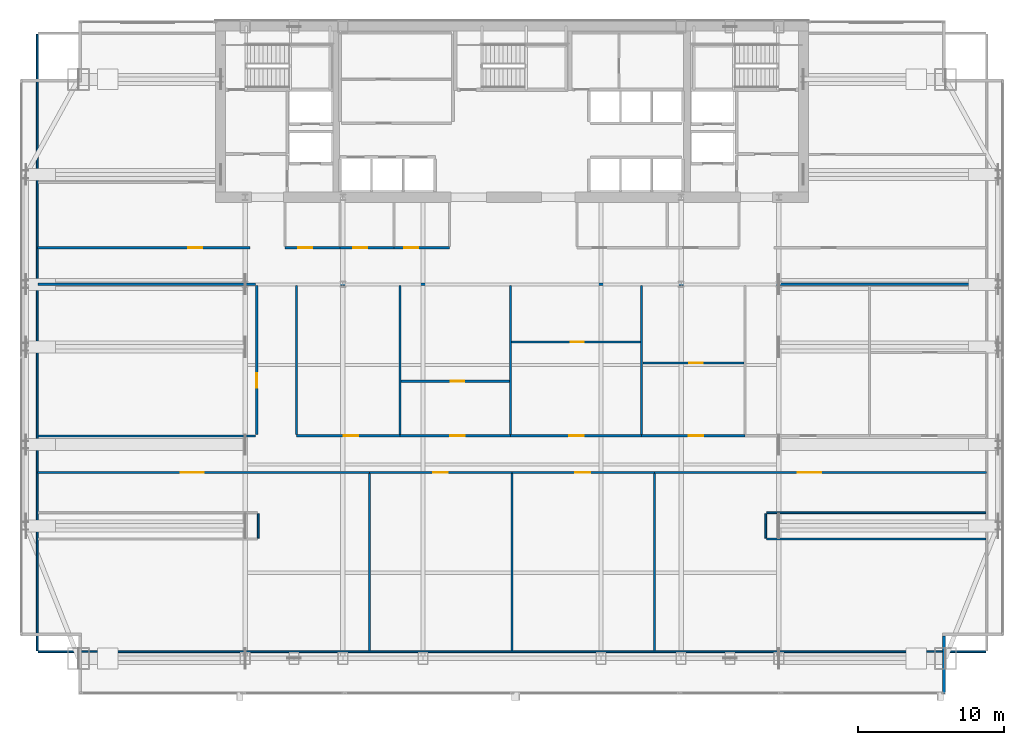
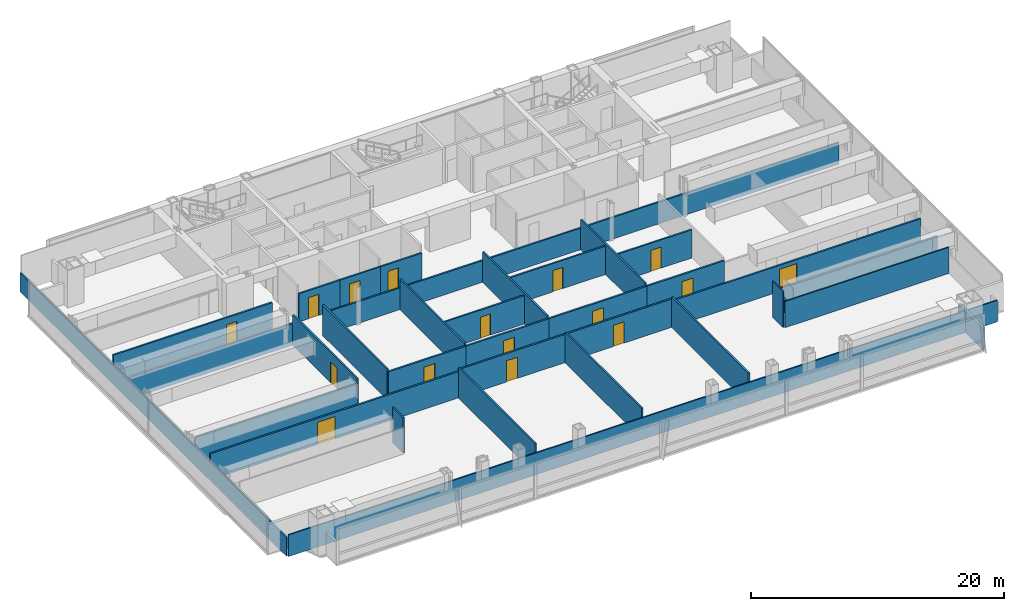
# One storey, part 25 of 30: 33 walls, 16 doors, 16 openings.
"""IFC4 building model written with IfcOpenShell, lengths in metres."""

from ifc_helpers import new_model, si_unit, direction, frame, frame_2d, origin, place, context, subcontext, project, spatial, rectangle, extrude, material, layer, layer_set, type_object, element, fill, save


model = new_model("IFC4")

# Units and contexts
model_context = context("Model", 3, precision=1e-05, world=origin(), true_north=direction((0.0, 1.0)))
body_context = subcontext(model_context, "Body", "Model", "MODEL_VIEW")
ifc_project = project(units=[si_unit("LENGTHUNIT", "METRE"), si_unit("AREAUNIT", "SQUARE_METRE"), si_unit("VOLUMEUNIT", "CUBIC_METRE"), si_unit("PLANEANGLEUNIT", "RADIAN"), si_unit("MASSUNIT", "GRAM", prefix="KILO")], contexts=[model_context])

# Site, building, storey
site_placement = place(None, origin())
site = spatial("IfcSite", under=ifc_project, at=site_placement, CompositionType="ELEMENT")
building_placement = place(site_placement, origin())
building = spatial("IfcBuilding", under=site, at=building_placement, Name="Khoronbel Lancet Exchange", CompositionType="ELEMENT")
storey_placement = place(building_placement, frame((0.0, 0.0, 132.60009765625)))
storey = spatial("IfcBuildingStorey", under=building, at=storey_placement, Name="L32", CompositionType="ELEMENT", Elevation=132.60009765625)

# Wall
ifc_material_1 = material(Name="Precast concrete C40/50", Category="concrete")
ifc_layer_1 = layer(ifc_material_1, 0.25, Name="Precast concrete C40/50")
ifc_layer_set_1 = layer_set([ifc_layer_1], Name="Precast concrete C40/50")
wall_type_1 = type_object("IfcWallType", Name="WL-EXT250", PredefinedType="SOLIDWALL", material=ifc_layer_set_1)
wall_1_placement = place(storey_placement, frame((65.9599609375, 11.679931640625, 0.0), z_axis=(0.0, 0.0, 1.0), x_axis=(0.0, -1.0, 0.0)))
element("IfcWall", 1, at=wall_1_placement, inside=storey, type_object=wall_type_1, Name="Level L32 notched-corner limestone pier 11", PredefinedType="SOLIDWALL", context=body_context, shape_type="SweptSolid", body=[
    extrude(rectangle(XDim=3.909912109375, YDim=0.219970703125, at=frame_2d((1.955078125, 0.0))), origin(), (0.0, 0.0, 1.0), 2.08984375),
])

# Wall, opening, door
ifc_material_2 = material(Name="Acoustic Metal-Stud & Mineral-Wool Gypsum Partition 120 mm", Category="gypsum")
ifc_layer_2 = layer(ifc_material_2, 0.1201171875, Name="Acoustic Metal-Stud & Mineral-Wool Gypsum Partition 120 mm")
ifc_layer_set_2 = layer_set([ifc_layer_2], Name="Acoustic Metal-Stud & Mineral-Wool Gypsum Partition 120 mm")
wall_type_2 = type_object("IfcWallType", Name="WL-PRT120", PredefinedType="PARTITIONING", material=ifc_layer_set_2)
wall_2_placement = place(storey_placement, frame((28.881103515625, 29.075927734375, 0.0), z_axis=(0.0, 0.0, 1.0), x_axis=(1.0, 0.0, 0.0)))
wall_2 = element("IfcWall", 2, at=wall_2_placement, inside=storey, type_object=wall_type_2, Name="Level L32 interior partition PW-Z2N-H2", PredefinedType="PARTITIONING", context=body_context, shape_type="SweptSolid", body=[
    extrude(rectangle(XDim=7.38232421875, YDim=0.14990234375, at=frame_2d((3.691162109375, 0.0))), origin(), (0.0, 0.0, 1.0), 2.72998046875),
])
opening_1_placement = place(wall_2_placement, frame((3.39404296875, 0.0, 0.0)))
opening_1 = element("IfcOpeningElement", 3, at=opening_1_placement, cuts=wall_2, Name="Opening D5", PredefinedType="OPENING", context=body_context, shape_type="SweptSolid", body=[
    extrude(rectangle(XDim=0.89990234375, YDim=2.050048828125, at=frame_2d((0.449951171875, 1.02490234375))), frame((0.0, 0.0849609375, 0.0), z_axis=(0.0, -1.0, 0.0), x_axis=(1.0, 0.0, 0.0)), (0.0, 0.0, 1.0), 0.169921875),
])
ifc_material_3 = material(Name="Acoustic Timber Pantry & Support Door", Category="wood")
door_type_1 = type_object("IfcDoorType", Name="DR-D5", OperationType="NOTDEFINED", PredefinedType="DOOR", material=ifc_material_3)
door_1_placement = place(opening_1_placement, origin())
door_1 = element("IfcDoor", 4, at=door_1_placement, inside=storey, type_object=door_type_1, Name="Z2N inner door 2 L32-1", OperationType="SINGLE_SWING_LEFT", OverallHeight=2.050048828125, OverallWidth=0.89990234375, PredefinedType="DOOR", context=body_context, shape_type="SweptSolid", body=[
    extrude(rectangle(XDim=0.89990234375, YDim=2.050048828125, at=frame_2d((0.449951171875, 1.02490234375))), frame((0.0, 0.02490234375, 0.0), z_axis=(0.0, -1.0, 0.0), x_axis=(1.0, 0.0, 0.0)), (0.0, 0.0, 1.0), 0.050048828125),
])
fill(opening_1, door_1)

wall_3_placement = place(storey_placement, frame((36.42333984375, 31.76708984375, 0.0), z_axis=(0.0, 0.0, 1.0), x_axis=(1.0, 0.0, 0.0)))
wall_3 = element("IfcWall", 5, at=wall_3_placement, inside=storey, type_object=wall_type_2, Name="Level L32 interior partition PW-Z2N-H3", PredefinedType="PARTITIONING", context=body_context, shape_type="SweptSolid", body=[
    extrude(rectangle(XDim=8.796630859375, YDim=0.14990234375, at=frame_2d((4.3984375, 0.0))), origin(), (0.0, 0.0, 1.0), 2.72998046875),
])
opening_2_placement = place(wall_3_placement, frame((4.030517578125, 0.0, 0.0)))
opening_2 = element("IfcOpeningElement", 6, at=opening_2_placement, cuts=wall_3, Name="Opening D5", PredefinedType="OPENING", context=body_context, shape_type="SweptSolid", body=[
    extrude(rectangle(XDim=0.89990234375, YDim=2.050048828125, at=frame_2d((0.449951171875, 1.02490234375))), frame((0.0, 0.0849609375, 0.0), z_axis=(0.0, -1.0, 0.0), x_axis=(1.0, 0.0, 0.0)), (0.0, 0.0, 1.0), 0.169921875),
])
door_2_placement = place(opening_2_placement, origin())
door_2 = element("IfcDoor", 7, at=door_2_placement, inside=storey, type_object=door_type_1, Name="Z2N inner door 3 L32-1", OperationType="SINGLE_SWING_LEFT", OverallHeight=2.050048828125, OverallWidth=0.89990234375, PredefinedType="DOOR", context=body_context, shape_type="SweptSolid", body=[
    extrude(rectangle(XDim=0.89990234375, YDim=2.050048828125, at=frame_2d((0.449951171875, 1.02490234375))), frame((0.0, 0.02490234375, 0.0), z_axis=(0.0, -1.0, 0.0), x_axis=(1.0, 0.0, 0.0)), (0.0, 0.0, 1.0), 0.050048828125),
])
fill(opening_2, door_2)

wall_4_placement = place(storey_placement, frame((45.3798828125, 30.318115234375, 0.0), z_axis=(0.0, 0.0, 1.0), x_axis=(1.0, 0.0, 0.0)))
wall_4 = element("IfcWall", 8, at=wall_4_placement, inside=storey, type_object=wall_type_2, Name="Level L32 interior partition PW-Z2N-H4", PredefinedType="PARTITIONING", context=body_context, shape_type="SweptSolid", body=[
    extrude(rectangle(XDim=6.9111328125, YDim=0.14990234375, at=frame_2d((3.45556640625, 0.0))), origin(), (0.0, 0.0, 1.0), 2.72998046875),
])
opening_3_placement = place(wall_4_placement, frame((3.181884765625, 0.0, 0.0)))
opening_3 = element("IfcOpeningElement", 9, at=opening_3_placement, cuts=wall_4, Name="Opening D5", PredefinedType="OPENING", context=body_context, shape_type="SweptSolid", body=[
    extrude(rectangle(XDim=0.89990234375, YDim=2.050048828125, at=frame_2d((0.449951171875, 1.02490234375))), frame((0.0, 0.0849609375, 0.0), z_axis=(0.0, -1.0, 0.0), x_axis=(1.0, 0.0, 0.0)), (0.0, 0.0, 1.0), 0.169921875),
])
door_3_placement = place(opening_3_placement, origin())
door_3 = element("IfcDoor", 10, at=door_3_placement, inside=storey, type_object=door_type_1, Name="Z2N inner door 4 L32-1", OperationType="SINGLE_SWING_LEFT", OverallHeight=2.050048828125, OverallWidth=0.89990234375, PredefinedType="DOOR", context=body_context, shape_type="SweptSolid", body=[
    extrude(rectangle(XDim=0.89990234375, YDim=2.050048828125, at=frame_2d((0.449951171875, 1.02490234375))), frame((0.0, 0.02490234375, 0.0), z_axis=(0.0, -1.0, 0.0), x_axis=(1.0, 0.0, 0.0)), (0.0, 0.0, 1.0), 0.050048828125),
])
fill(opening_3, door_3)

# Walls
wall_5_placement = place(storey_placement, frame((4.030029296875, 10.6650390625, 0.0), z_axis=(0.0, 0.0, 1.0), x_axis=(0.0, 1.0, 0.0)))
element("IfcWall", 11, at=wall_5_placement, inside=storey, type_object=wall_type_2, Name="Level L32 interior partition PW-LIN-W", PredefinedType="PARTITIONING", context=body_context, shape_type="SweptSolid", body=[
    extrude(rectangle(XDim=42.10986328125, YDim=0.1201171875, at=frame_2d((21.054931640625, 0.0))), origin(), (0.0, 0.0, 1.0), 1.829833984375),
])
wall_6_placement = place(storey_placement, frame((4.094970703125, 10.60009765625, 0.0), z_axis=(0.0, 0.0, 1.0), x_axis=(1.0, 0.0, 0.0)))
element("IfcWall", 12, at=wall_6_placement, inside=storey, type_object=wall_type_2, Name="Level L32 interior partition PW-LIN-S", PredefinedType="PARTITIONING", context=body_context, shape_type="SweptSolid", body=[
    extrude(rectangle(XDim=64.7099609375, YDim=0.1201171875, at=frame_2d((32.35498046875, 0.0))), origin(), (0.0, 0.0, 1.0), 2.08984375),
])
wall_7_placement = place(storey_placement, frame((19.1201171875, 18.364990234375, 0.0), z_axis=(0.0, 0.0, 1.0), x_axis=(0.0, 1.0, 0.0)))
element("IfcWall", 13, at=wall_7_placement, inside=storey, type_object=wall_type_2, Name="Level L32 interior partition PW-BLK-WE", PredefinedType="PARTITIONING", context=body_context, shape_type="SweptSolid", body=[
    extrude(rectangle(XDim=1.669921875, YDim=0.1201171875, at=frame_2d((0.8349609375, 0.0))), origin(), (0.0, 0.0, 1.0), 3.43994140625),
])
for number, where, z_axis, x_axis, name in (
    (14, (53.844970703125, 18.300048828125, 0.0), (0.0, 0.0, 1.0), (1.0, 0.0, 0.0), "Level L32 interior partition PW-BLK-ES"),
    (15, (53.844970703125, 20.10009765625, 0.0), (0.0, 0.0, 1.0), (1.0, 0.0, 0.0), "Level L32 interior partition PW-BLK-EN"),
):
    element("IfcWall", number, at=place(storey_placement, frame(where, z_axis=z_axis, x_axis=x_axis)), inside=storey, type_object=wall_type_2, Name=name, PredefinedType="PARTITIONING", context=body_context, shape_type="SweptSolid", body=[
        extrude(rectangle(XDim=14.9599609375, YDim=0.1201171875, at=frame_2d((7.47998046875, 0.0))), origin(), (0.0, 0.0, 1.0), 2.52978515625),
    ])
wall_8_placement = place(storey_placement, frame((53.780029296875, 18.364990234375, 0.0), z_axis=(0.0, 0.0, 1.0), x_axis=(0.0, 1.0, 0.0)))
element("IfcWall", 16, at=wall_8_placement, inside=storey, type_object=wall_type_2, Name="Level L32 interior partition PW-BLK-EW", PredefinedType="PARTITIONING", context=body_context, shape_type="SweptSolid", body=[
    extrude(rectangle(XDim=1.669921875, YDim=0.1201171875, at=frame_2d((0.8349609375, 0.0))), origin(), (0.0, 0.0, 1.0), 3.43994140625),
])

# Wall, opening, door
ifc_material_4 = material(Name="Fire-Rated Twin-Stud Acoustic Gypsum Partition 150 mm", Category="gypsum")
ifc_layer_3 = layer(ifc_material_4, 0.14990234375, Name="Fire-Rated Twin-Stud Acoustic Gypsum Partition 150 mm")
ifc_layer_set_3 = layer_set([ifc_layer_3], Name="Fire-Rated Twin-Stud Acoustic Gypsum Partition 150 mm")
wall_type_3 = type_object("IfcWallType", Name="WL-PRT150C", PredefinedType="PARTITIONING", material=ifc_layer_set_3)
wall_9_placement = place(storey_placement, frame((20.949951171875, 38.199951171875, 0.0), z_axis=(0.0, 0.0, 1.0), x_axis=(1.0, 0.0, 0.0)))
wall_9 = element("IfcWall", 17, at=wall_9_placement, inside=storey, type_object=wall_type_3, Name="Level L32 interior partition PW-WC-S1", PredefinedType="PARTITIONING", context=body_context, shape_type="SweptSolid", body=[
    extrude(rectangle(XDim=3.75, YDim=0.14990234375, at=frame_2d((1.875, 0.0))), origin(), (0.0, 0.0, 1.0), 2.72998046875),
])
opening_4_placement = place(wall_9_placement, frame((0.89990234375, 0.0, 0.0)))
opening_4 = element("IfcOpeningElement", 18, at=opening_4_placement, cuts=wall_9, Name="Opening D4", PredefinedType="OPENING", context=body_context, shape_type="SweptSolid", body=[
    extrude(rectangle(XDim=0.949951171875, YDim=2.050048828125, at=frame_2d((0.47509765625, 1.02490234375))), frame((0.0, 0.0849609375, 0.0), z_axis=(0.0, -1.0, 0.0), x_axis=(1.0, 0.0, 0.0)), (0.0, 0.0, 1.0), 0.169921875),
])
ifc_material_5 = material(Name="Moisture-Resistant HPL Washroom Door", Category="wood")
door_type_2 = type_object("IfcDoorType", Name="DR-D4", OperationType="NOTDEFINED", PredefinedType="DOOR", material=ifc_material_5)
door_4_placement = place(opening_4_placement, origin())
door_4 = element("IfcDoor", 19, at=door_4_placement, inside=storey, type_object=door_type_2, Name="Male washroom door L32-1", OperationType="SINGLE_SWING_LEFT", OverallHeight=2.050048828125, OverallWidth=0.949951171875, PredefinedType="DOOR", context=body_context, shape_type="SweptSolid", body=[
    extrude(rectangle(XDim=0.949951171875, YDim=2.050048828125, at=frame_2d((0.47509765625, 1.02490234375))), frame((0.0, 0.02490234375, 0.0), z_axis=(0.0, -1.0, 0.0), x_axis=(1.0, 0.0, 0.0)), (0.0, 0.0, 1.0), 0.050048828125),
])
fill(opening_4, door_4)

wall_10_placement = place(storey_placement, frame((24.699951171875, 38.199951171875, 0.0), z_axis=(0.0, 0.0, 1.0), x_axis=(1.0, 0.0, 0.0)))
wall_10 = element("IfcWall", 20, at=wall_10_placement, inside=storey, type_object=wall_type_3, Name="Level L32 interior partition PW-WC-S2", PredefinedType="PARTITIONING", context=body_context, shape_type="SweptSolid", body=[
    extrude(rectangle(XDim=3.699951171875, YDim=0.14990234375, at=frame_2d((1.85009765625, 0.0))), origin(), (0.0, 0.0, 1.0), 2.72998046875),
])
opening_5_placement = place(wall_10_placement, frame((0.89990234375, 0.0, 0.0)))
opening_5 = element("IfcOpeningElement", 21, at=opening_5_placement, cuts=wall_10, Name="Opening D4", PredefinedType="OPENING", context=body_context, shape_type="SweptSolid", body=[
    extrude(rectangle(XDim=0.949951171875, YDim=2.050048828125, at=frame_2d((0.47509765625, 1.02490234375))), frame((0.0, 0.0849609375, 0.0), z_axis=(0.0, -1.0, 0.0), x_axis=(1.0, 0.0, 0.0)), (0.0, 0.0, 1.0), 0.169921875),
])
door_5_placement = place(opening_5_placement, origin())
door_5 = element("IfcDoor", 22, at=door_5_placement, inside=storey, type_object=door_type_2, Name="Female washroom door L32-1", OperationType="SINGLE_SWING_RIGHT", OverallHeight=2.050048828125, OverallWidth=0.949951171875, PredefinedType="DOOR", context=body_context, shape_type="SweptSolid", body=[
    extrude(rectangle(XDim=0.949951171875, YDim=2.050048828125, at=frame_2d((0.47509765625, 1.02490234375))), frame((0.0, 0.02490234375, 0.0), z_axis=(0.0, -1.0, 0.0), x_axis=(1.0, 0.0, 0.0)), (0.0, 0.0, 1.0), 0.050048828125),
])
fill(opening_5, door_5)

wall_11_placement = place(storey_placement, frame((28.39990234375, 38.199951171875, 0.0), z_axis=(0.0, 0.0, 1.0), x_axis=(1.0, 0.0, 0.0)))
wall_11 = element("IfcWall", 23, at=wall_11_placement, inside=storey, type_object=wall_type_3, Name="Level L32 interior partition PW-WC-S3", PredefinedType="PARTITIONING", context=body_context, shape_type="SweptSolid", body=[
    extrude(rectangle(XDim=3.780029296875, YDim=0.14990234375, at=frame_2d((1.89013671875, 0.0))), origin(), (0.0, 0.0, 1.0), 2.72998046875),
])
opening_6_placement = place(wall_11_placement, frame((0.699951171875, 0.0, 0.0)))
opening_6 = element("IfcOpeningElement", 24, at=opening_6_placement, cuts=wall_11, Name="Opening D4", PredefinedType="OPENING", context=body_context, shape_type="SweptSolid", body=[
    extrude(rectangle(XDim=0.949951171875, YDim=2.050048828125, at=frame_2d((0.47509765625, 1.02490234375))), frame((0.0, 0.0849609375, 0.0), z_axis=(0.0, -1.0, 0.0), x_axis=(1.0, 0.0, 0.0)), (0.0, 0.0, 1.0), 0.169921875),
])
door_6_placement = place(opening_6_placement, origin())
door_6 = element("IfcDoor", 25, at=door_6_placement, inside=storey, type_object=door_type_2, Name="Accessible WC door L32-1", OperationType="SINGLE_SWING_LEFT", OverallHeight=2.050048828125, OverallWidth=0.949951171875, PredefinedType="DOOR", context=body_context, shape_type="SweptSolid", body=[
    extrude(rectangle(XDim=0.949951171875, YDim=2.050048828125, at=frame_2d((0.47509765625, 1.02490234375))), frame((0.0, 0.02490234375, 0.0), z_axis=(0.0, -1.0, 0.0), x_axis=(1.0, 0.0, 0.0)), (0.0, 0.0, 1.0), 0.050048828125),
])
fill(opening_6, door_6)

wall_12_placement = place(storey_placement, frame((4.030029296875, 38.199951171875, 0.0), z_axis=(0.0, 0.0, 1.0), x_axis=(1.0, 0.0, 0.0)))
wall_12 = element("IfcWall", 26, at=wall_12_placement, inside=storey, type_object=wall_type_3, Name="Level L32 interior partition PW-NW-S", PredefinedType="PARTITIONING", context=body_context, shape_type="SweptSolid", body=[
    extrude(rectangle(XDim=14.52001953125, YDim=0.14990234375, at=frame_2d((7.260009765625, 0.0))), origin(), (0.0, 0.0, 1.0), 2.72998046875),
])
opening_7_placement = place(wall_12_placement, frame((10.320068359375, 0.0, 0.0)))
opening_7 = element("IfcOpeningElement", 27, at=opening_7_placement, cuts=wall_12, Name="Opening D1", PredefinedType="OPENING", context=body_context, shape_type="SweptSolid", body=[
    extrude(rectangle(XDim=0.949951171875, YDim=2.050048828125, at=frame_2d((0.47509765625, 1.02490234375))), frame((0.0, 0.0849609375, 0.0), z_axis=(0.0, -1.0, 0.0), x_axis=(1.0, 0.0, 0.0)), (0.0, 0.0, 1.0), 0.169921875),
])
ifc_material_6 = material(Name="Acoustic Veneered Timber & Bronze Frame Door", Category="wood")
door_type_3 = type_object("IfcDoorType", Name="DR-D1", OperationType="NOTDEFINED", PredefinedType="DOOR", material=ifc_material_6)
door_7_placement = place(opening_7_placement, origin())
door_7 = element("IfcDoor", 28, at=door_7_placement, inside=storey, type_object=door_type_3, Name="NW corner room door L32-1", OperationType="SINGLE_SWING_RIGHT", OverallHeight=2.050048828125, OverallWidth=0.949951171875, PredefinedType="DOOR", context=body_context, shape_type="SweptSolid", body=[
    extrude(rectangle(XDim=0.949951171875, YDim=2.050048828125, at=frame_2d((0.47509765625, 1.02490234375))), frame((0.0, 0.02490234375, 0.0), z_axis=(0.0, -1.0, 0.0), x_axis=(1.0, 0.0, 0.0)), (0.0, 0.0, 1.0), 0.050048828125),
])
fill(opening_7, door_7)

# Walls
for number, where, z_axis, x_axis, name in (
    (29, (26.72412109375, 10.6650390625, 0.0), (0.0, 0.0, 1.0), (0.0, 1.0, 0.0), "Level L32 interior partition PW-Z2S-V1"),
    (30, (36.449951171875, 10.6650390625, 0.0), (0.0, 0.0, 1.0), (0.0, 1.0, 0.0), "Level L32 interior partition PW-Z2S-V2"),
    (31, (46.176025390625, 10.6650390625, 0.0), (0.0, 0.0, 1.0), (0.0, 1.0, 0.0), "Level L32 interior partition PW-Z2S-V3"),
):
    element("IfcWall", number, at=place(storey_placement, frame(where, z_axis=z_axis, x_axis=x_axis)), inside=storey, type_object=wall_type_3, Name=name, PredefinedType="PARTITIONING", context=body_context, shape_type="SweptSolid", body=[
        extrude(rectangle(XDim=12.099853515625, YDim=0.14990234375, at=frame_2d((6.0498046875, 0.0))), origin(), (0.0, 0.0, 1.0), 2.929931640625),
    ])

# Wall, opening, door
wall_13_placement = place(storey_placement, frame((19.02001953125, 25.429931640625, 0.0), z_axis=(0.0, 0.0, 1.0), x_axis=(0.0, 1.0, 0.0)))
wall_13 = element("IfcWall", 32, at=wall_13_placement, inside=storey, type_object=wall_type_3, Name="Level L32 interior partition PW-Z2-WLK", PredefinedType="PARTITIONING", context=body_context, shape_type="SweptSolid", body=[
    extrude(rectangle(XDim=10.190185546875, YDim=0.14990234375, at=frame_2d((5.09521484375, 0.0))), origin(), (0.0, 0.0, 1.0), 2.929931640625),
])
opening_8_placement = place(wall_13_placement, frame((3.199951171875, 0.0, 0.0)))
opening_8 = element("IfcOpeningElement", 33, at=opening_8_placement, cuts=wall_13, Name="Opening D2", PredefinedType="OPENING", context=body_context, shape_type="SweptSolid", body=[
    extrude(rectangle(XDim=1.0, YDim=2.050048828125, at=frame_2d((0.5, 1.02490234375))), frame((0.0, 0.0849609375, 0.0), z_axis=(0.0, -1.0, 0.0), x_axis=(1.0, 0.0, 0.0)), (0.0, 0.0, 1.0), 0.169921875),
])
door_type_4 = type_object("IfcDoorType", Name="DR-D2", OperationType="NOTDEFINED", PredefinedType="DOOR", material=ifc_material_6)
door_8_placement = place(opening_8_placement, origin())
door_8 = element("IfcDoor", 34, at=door_8_placement, inside=storey, type_object=door_type_4, Name="West mid-band room door L32-1", OperationType="SINGLE_SWING_RIGHT", OverallHeight=2.050048828125, OverallWidth=1.0, PredefinedType="DOOR", context=body_context, shape_type="SweptSolid", body=[
    extrude(rectangle(XDim=1.0, YDim=2.050048828125, at=frame_2d((0.5, 1.02490234375))), frame((0.0, 0.02490234375, 0.0), z_axis=(0.0, -1.0, 0.0), x_axis=(1.0, 0.0, 0.0)), (0.0, 0.0, 1.0), 0.050048828125),
])
fill(opening_8, door_8)

# Walls
wall_14_placement = place(storey_placement, frame((4.094970703125, 25.35009765625, 0.0), z_axis=(0.0, 0.0, 1.0), x_axis=(1.0, 0.0, 0.0)))
element("IfcWall", 35, at=wall_14_placement, inside=storey, type_object=wall_type_3, Name="Level L32 interior partition PW-Z2-WS", PredefinedType="PARTITIONING", context=body_context, shape_type="SweptSolid", body=[
    extrude(rectangle(XDim=14.844970703125, YDim=0.14990234375, at=frame_2d((7.42236328125, 0.0))), origin(), (0.0, 0.0, 1.0), 2.52978515625),
])
wall_15_placement = place(storey_placement, frame((4.094970703125, 35.699951171875, 0.0), z_axis=(0.0, 0.0, 1.0), x_axis=(1.0, 0.0, 0.0)))
element("IfcWall", 36, at=wall_15_placement, inside=storey, type_object=wall_type_3, Name="Level L32 interior partition PW-Z2-WN", PredefinedType="PARTITIONING", context=body_context, shape_type="SweptSolid", body=[
    extrude(rectangle(XDim=14.844970703125, YDim=0.14990234375, at=frame_2d((7.42236328125, 0.0))), origin(), (0.0, 0.0, 1.0), 2.08984375),
])
wall_16_placement = place(storey_placement, frame((21.72998046875, 25.43505859375, 0.0), z_axis=(0.0, 0.0, 1.0), x_axis=(0.0, 1.0, 0.0)))
element("IfcWall", 37, at=wall_16_placement, inside=storey, type_object=wall_type_3, Name="Level L32 interior partition PW-Z2-ELK", PredefinedType="PARTITIONING", context=body_context, shape_type="SweptSolid", body=[
    extrude(rectangle(XDim=10.18505859375, YDim=0.14990234375, at=frame_2d((5.092529296875, 0.0))), origin(), (0.0, 0.0, 1.0), 2.929931640625),
])
wall_17_placement = place(storey_placement, frame((21.81005859375, 35.699951171875, 0.0), z_axis=(0.0, 0.0, 1.0), x_axis=(1.0, 0.0, 0.0)))
element("IfcWall", 38, at=wall_17_placement, inside=storey, type_object=wall_type_3, Name="Level L32 interior partition PW-Z2-EN", PredefinedType="PARTITIONING", context=body_context, shape_type="SweptSolid", body=[
    extrude(rectangle(XDim=46.994873046875, YDim=0.14990234375, at=frame_2d((23.49755859375, 0.0))), origin(), (0.0, 0.0, 1.0), 2.08984375),
])
for number, where, z_axis, x_axis, name in (
    (39, (28.801025390625, 25.43505859375, 0.0), (0.0, 0.0, 1.0), (0.0, 1.0, 0.0), "Level L32 interior partition PW-Z2N-V1"),
    (40, (36.343505859375, 25.43505859375, 0.0), (0.0, 0.0, 1.0), (0.0, 1.0, 0.0), "Level L32 interior partition PW-Z2N-V2"),
    (41, (45.300048828125, 25.43505859375, 0.0), (0.0, 0.0, 1.0), (0.0, 1.0, 0.0), "Level L32 interior partition PW-Z2N-V3"),
):
    element("IfcWall", number, at=place(storey_placement, frame(where, z_axis=z_axis, x_axis=x_axis)), inside=storey, type_object=wall_type_3, Name=name, PredefinedType="PARTITIONING", context=body_context, shape_type="SweptSolid", body=[
        extrude(rectangle(XDim=10.18505859375, YDim=0.14990234375, at=frame_2d((5.092529296875, 0.0))), origin(), (0.0, 0.0, 1.0), 2.929931640625),
    ])

# Wall, opening, door
ifc_material_7 = material(Name="Fire-Rated Twin-Stud Acoustic Gypsum Partition 160 mm", Category="gypsum")
ifc_layer_4 = layer(ifc_material_7, 0.159912109375, Name="Fire-Rated Twin-Stud Acoustic Gypsum Partition 160 mm")
ifc_layer_set_4 = layer_set([ifc_layer_4], Name="Fire-Rated Twin-Stud Acoustic Gypsum Partition 160 mm")
wall_type_4 = type_object("IfcWallType", Name="WL-PRT160C", PredefinedType="PARTITIONING", material=ifc_layer_set_4)
wall_18_placement = place(storey_placement, frame((4.030029296875, 22.85009765625, 0.0), z_axis=(0.0, 0.0, 1.0), x_axis=(1.0, 0.0, 0.0)))
wall_18 = element("IfcWall", 42, at=wall_18_placement, inside=storey, type_object=wall_type_4, Name="Level L32 interior partition PW-Z2S-COR1", PredefinedType="PARTITIONING", context=body_context, shape_type="SweptSolid", body=[
    extrude(rectangle(XDim=22.694091796875, YDim=0.159912109375, at=frame_2d((11.34716796875, 0.0))), origin(), (0.0, 0.0, 1.0), 2.52978515625),
])
opening_9_placement = place(wall_18_placement, frame((9.781494140625, 0.0, 0.0)))
opening_9 = element("IfcOpeningElement", 43, at=opening_9_placement, cuts=wall_18, Name="Opening D3", PredefinedType="OPENING", context=body_context, shape_type="SweptSolid", body=[
    extrude(rectangle(XDim=1.60009765625, YDim=2.14990234375, at=frame_2d((0.800048828125, 1.074951171875))), frame((0.0, 0.08984375, 0.0), z_axis=(0.0, -1.0, 0.0), x_axis=(1.0, 0.0, 0.0)), (0.0, 0.0, 1.0), 0.179931640625),
])
ifc_material_8 = material(Name="Glazed Bronze-Framed Double Suite Door", Category="aluminium")
door_type_5 = type_object("IfcDoorType", Name="DR-D3", OperationType="NOTDEFINED", PredefinedType="DOOR", material=ifc_material_8)
door_9_placement = place(opening_9_placement, origin())
door_9 = element("IfcDoor", 44, at=door_9_placement, inside=storey, type_object=door_type_5, Name="Z2S bay 1 door L32-1", OperationType="DOUBLE_DOOR_SINGLE_SWING", OverallHeight=2.14990234375, OverallWidth=1.60009765625, PredefinedType="DOOR", context=body_context, shape_type="SweptSolid", body=[
    extrude(rectangle(XDim=1.60009765625, YDim=2.14990234375, at=frame_2d((0.800048828125, 1.074951171875))), frame((0.0, 0.02490234375, 0.0), z_axis=(0.0, -1.0, 0.0), x_axis=(1.0, 0.0, 0.0)), (0.0, 0.0, 1.0), 0.050048828125),
])
fill(opening_9, door_9)

wall_19_placement = place(storey_placement, frame((26.72412109375, 22.85009765625, 0.0), z_axis=(0.0, 0.0, 1.0), x_axis=(1.0, 0.0, 0.0)))
wall_19 = element("IfcWall", 45, at=wall_19_placement, inside=storey, type_object=wall_type_4, Name="Level L32 interior partition PW-Z2S-COR2", PredefinedType="PARTITIONING", context=body_context, shape_type="SweptSolid", body=[
    extrude(rectangle(XDim=9.725830078125, YDim=0.159912109375, at=frame_2d((4.86279296875, 0.0))), origin(), (0.0, 0.0, 1.0), 2.72998046875),
])
opening_10_placement = place(wall_19_placement, frame((4.3349609375, 0.0, 0.0)))
opening_10 = element("IfcOpeningElement", 46, at=opening_10_placement, cuts=wall_19, Name="Opening D2", PredefinedType="OPENING", context=body_context, shape_type="SweptSolid", body=[
    extrude(rectangle(XDim=1.0, YDim=2.050048828125, at=frame_2d((0.5, 1.02490234375))), frame((0.0, 0.08984375, 0.0), z_axis=(0.0, -1.0, 0.0), x_axis=(1.0, 0.0, 0.0)), (0.0, 0.0, 1.0), 0.179931640625),
])
door_10_placement = place(opening_10_placement, origin())
door_10 = element("IfcDoor", 47, at=door_10_placement, inside=storey, type_object=door_type_4, Name="Z2S bay 2 door L32-1", OperationType="SINGLE_SWING_RIGHT", OverallHeight=2.050048828125, OverallWidth=1.0, PredefinedType="DOOR", context=body_context, shape_type="SweptSolid", body=[
    extrude(rectangle(XDim=1.0, YDim=2.050048828125, at=frame_2d((0.5, 1.02490234375))), frame((0.0, 0.02490234375, 0.0), z_axis=(0.0, -1.0, 0.0), x_axis=(1.0, 0.0, 0.0)), (0.0, 0.0, 1.0), 0.050048828125),
])
fill(opening_10, door_10)

wall_20_placement = place(storey_placement, frame((36.449951171875, 22.85009765625, 0.0), z_axis=(0.0, 0.0, 1.0), x_axis=(1.0, 0.0, 0.0)))
wall_20 = element("IfcWall", 48, at=wall_20_placement, inside=storey, type_object=wall_type_4, Name="Level L32 interior partition PW-Z2S-COR3", PredefinedType="PARTITIONING", context=body_context, shape_type="SweptSolid", body=[
    extrude(rectangle(XDim=9.72607421875, YDim=0.159912109375, at=frame_2d((4.863037109375, 0.0))), origin(), (0.0, 0.0, 1.0), 2.72998046875),
])
opening_11_placement = place(wall_20_placement, frame((4.3349609375, 0.0, 0.0)))
opening_11 = element("IfcOpeningElement", 49, at=opening_11_placement, cuts=wall_20, Name="Opening D2", PredefinedType="OPENING", context=body_context, shape_type="SweptSolid", body=[
    extrude(rectangle(XDim=1.0, YDim=2.050048828125, at=frame_2d((0.5, 1.02490234375))), frame((0.0, 0.08984375, 0.0), z_axis=(0.0, -1.0, 0.0), x_axis=(1.0, 0.0, 0.0)), (0.0, 0.0, 1.0), 0.179931640625),
])
door_11_placement = place(opening_11_placement, origin())
door_11 = element("IfcDoor", 50, at=door_11_placement, inside=storey, type_object=door_type_4, Name="Z2S bay 3 door L32-1", OperationType="SINGLE_SWING_LEFT", OverallHeight=2.050048828125, OverallWidth=1.0, PredefinedType="DOOR", context=body_context, shape_type="SweptSolid", body=[
    extrude(rectangle(XDim=1.0, YDim=2.050048828125, at=frame_2d((0.5, 1.02490234375))), frame((0.0, 0.02490234375, 0.0), z_axis=(0.0, -1.0, 0.0), x_axis=(1.0, 0.0, 0.0)), (0.0, 0.0, 1.0), 0.050048828125),
])
fill(opening_11, door_11)

wall_21_placement = place(storey_placement, frame((46.176025390625, 22.85009765625, 0.0), z_axis=(0.0, 0.0, 1.0), x_axis=(1.0, 0.0, 0.0)))
wall_21 = element("IfcWall", 51, at=wall_21_placement, inside=storey, type_object=wall_type_4, Name="Level L32 interior partition PW-Z2S-COR4", PredefinedType="PARTITIONING", context=body_context, shape_type="SweptSolid", body=[
    extrude(rectangle(XDim=22.694091796875, YDim=0.159912109375, at=frame_2d((11.34716796875, 0.0))), origin(), (0.0, 0.0, 1.0), 2.52978515625),
])
opening_12_placement = place(wall_21_placement, frame((9.781494140625, 0.0, 0.0)))
opening_12 = element("IfcOpeningElement", 52, at=opening_12_placement, cuts=wall_21, Name="Opening D3", PredefinedType="OPENING", context=body_context, shape_type="SweptSolid", body=[
    extrude(rectangle(XDim=1.60009765625, YDim=2.14990234375, at=frame_2d((0.800048828125, 1.074951171875))), frame((0.0, 0.08984375, 0.0), z_axis=(0.0, -1.0, 0.0), x_axis=(1.0, 0.0, 0.0)), (0.0, 0.0, 1.0), 0.179931640625),
])
door_12_placement = place(opening_12_placement, origin())
door_12 = element("IfcDoor", 53, at=door_12_placement, inside=storey, type_object=door_type_5, Name="Z2S bay 4 door L32-1", OperationType="DOUBLE_DOOR_SINGLE_SWING", OverallHeight=2.14990234375, OverallWidth=1.60009765625, PredefinedType="DOOR", context=body_context, shape_type="SweptSolid", body=[
    extrude(rectangle(XDim=1.60009765625, YDim=2.14990234375, at=frame_2d((0.800048828125, 1.074951171875))), frame((0.0, 0.02490234375, 0.0), z_axis=(0.0, -1.0, 0.0), x_axis=(1.0, 0.0, 0.0)), (0.0, 0.0, 1.0), 0.050048828125),
])
fill(opening_12, door_12)

wall_22_placement = place(storey_placement, frame((21.72998046875, 25.35009765625, 0.0), z_axis=(0.0, 0.0, 1.0), x_axis=(1.0, 0.0, 0.0)))
wall_22 = element("IfcWall", 54, at=wall_22_placement, inside=storey, type_object=wall_type_4, Name="Level L32 interior partition PW-Z2N-COR1", PredefinedType="PARTITIONING", context=body_context, shape_type="SweptSolid", body=[
    extrude(rectangle(XDim=7.071044921875, YDim=0.159912109375, at=frame_2d((3.53564453125, 0.0))), origin(), (0.0, 0.0, 1.0), 2.72998046875),
])
opening_13_placement = place(wall_22_placement, frame((3.2197265625, 0.0, 0.0)))
opening_13 = element("IfcOpeningElement", 55, at=opening_13_placement, cuts=wall_22, Name="Opening D2", PredefinedType="OPENING", context=body_context, shape_type="SweptSolid", body=[
    extrude(rectangle(XDim=1.0, YDim=2.050048828125, at=frame_2d((0.5, 1.02490234375))), frame((0.0, 0.08984375, 0.0), z_axis=(0.0, -1.0, 0.0), x_axis=(1.0, 0.0, 0.0)), (0.0, 0.0, 1.0), 0.179931640625),
])
door_13_placement = place(opening_13_placement, origin())
door_13 = element("IfcDoor", 56, at=door_13_placement, inside=storey, type_object=door_type_4, Name="Z2N bay 1 door L32-1", OperationType="SINGLE_SWING_LEFT", OverallHeight=2.050048828125, OverallWidth=1.0, PredefinedType="DOOR", context=body_context, shape_type="SweptSolid", body=[
    extrude(rectangle(XDim=1.0, YDim=2.050048828125, at=frame_2d((0.5, 1.02490234375))), frame((0.0, 0.02490234375, 0.0), z_axis=(0.0, -1.0, 0.0), x_axis=(1.0, 0.0, 0.0)), (0.0, 0.0, 1.0), 0.050048828125),
])
fill(opening_13, door_13)

wall_23_placement = place(storey_placement, frame((28.801025390625, 25.35009765625, 0.0), z_axis=(0.0, 0.0, 1.0), x_axis=(1.0, 0.0, 0.0)))
wall_23 = element("IfcWall", 57, at=wall_23_placement, inside=storey, type_object=wall_type_4, Name="Level L32 interior partition PW-Z2N-COR2", PredefinedType="PARTITIONING", context=body_context, shape_type="SweptSolid", body=[
    extrude(rectangle(XDim=7.54248046875, YDim=0.159912109375, at=frame_2d((3.771240234375, 0.0))), origin(), (0.0, 0.0, 1.0), 2.72998046875),
])
opening_14_placement = place(wall_23_placement, frame((3.417724609375, 0.0, 0.0)))
opening_14 = element("IfcOpeningElement", 58, at=opening_14_placement, cuts=wall_23, Name="Opening D2", PredefinedType="OPENING", context=body_context, shape_type="SweptSolid", body=[
    extrude(rectangle(XDim=1.0, YDim=2.050048828125, at=frame_2d((0.5, 1.02490234375))), frame((0.0, 0.08984375, 0.0), z_axis=(0.0, -1.0, 0.0), x_axis=(1.0, 0.0, 0.0)), (0.0, 0.0, 1.0), 0.179931640625),
])
door_14_placement = place(opening_14_placement, origin())
door_14 = element("IfcDoor", 59, at=door_14_placement, inside=storey, type_object=door_type_4, Name="Z2N bay 2 door L32-1", OperationType="SINGLE_SWING_RIGHT", OverallHeight=2.050048828125, OverallWidth=1.0, PredefinedType="DOOR", context=body_context, shape_type="SweptSolid", body=[
    extrude(rectangle(XDim=1.0, YDim=2.050048828125, at=frame_2d((0.5, 1.02490234375))), frame((0.0, 0.02490234375, 0.0), z_axis=(0.0, -1.0, 0.0), x_axis=(1.0, 0.0, 0.0)), (0.0, 0.0, 1.0), 0.050048828125),
])
fill(opening_14, door_14)

wall_24_placement = place(storey_placement, frame((36.343505859375, 25.35009765625, 0.0), z_axis=(0.0, 0.0, 1.0), x_axis=(1.0, 0.0, 0.0)))
wall_24 = element("IfcWall", 60, at=wall_24_placement, inside=storey, type_object=wall_type_4, Name="Level L32 interior partition PW-Z2N-COR3", PredefinedType="PARTITIONING", context=body_context, shape_type="SweptSolid", body=[
    extrude(rectangle(XDim=8.95654296875, YDim=0.159912109375, at=frame_2d((4.478271484375, 0.0))), origin(), (0.0, 0.0, 1.0), 2.72998046875),
])
opening_15_placement = place(wall_24_placement, frame((4.01171875, 0.0, 0.0)))
opening_15 = element("IfcOpeningElement", 61, at=opening_15_placement, cuts=wall_24, Name="Opening D2", PredefinedType="OPENING", context=body_context, shape_type="SweptSolid", body=[
    extrude(rectangle(XDim=1.0, YDim=2.050048828125, at=frame_2d((0.5, 1.02490234375))), frame((0.0, 0.08984375, 0.0), z_axis=(0.0, -1.0, 0.0), x_axis=(1.0, 0.0, 0.0)), (0.0, 0.0, 1.0), 0.179931640625),
])
door_15_placement = place(opening_15_placement, origin())
door_15 = element("IfcDoor", 62, at=door_15_placement, inside=storey, type_object=door_type_4, Name="Z2N bay 3 door L32-1", OperationType="SINGLE_SWING_RIGHT", OverallHeight=2.050048828125, OverallWidth=1.0, PredefinedType="DOOR", context=body_context, shape_type="SweptSolid", body=[
    extrude(rectangle(XDim=1.0, YDim=2.050048828125, at=frame_2d((0.5, 1.02490234375))), frame((0.0, 0.02490234375, 0.0), z_axis=(0.0, -1.0, 0.0), x_axis=(1.0, 0.0, 0.0)), (0.0, 0.0, 1.0), 0.050048828125),
])
fill(opening_15, door_15)

wall_25_placement = place(storey_placement, frame((45.300048828125, 25.35009765625, 0.0), z_axis=(0.0, 0.0, 1.0), x_axis=(1.0, 0.0, 0.0)))
wall_25 = element("IfcWall", 63, at=wall_25_placement, inside=storey, type_object=wall_type_4, Name="Level L32 interior partition PW-Z2N-COR4", PredefinedType="PARTITIONING", context=body_context, shape_type="SweptSolid", body=[
    extrude(rectangle(XDim=7.071044921875, YDim=0.159912109375, at=frame_2d((3.53564453125, 0.0))), origin(), (0.0, 0.0, 1.0), 2.72998046875),
])
opening_16_placement = place(wall_25_placement, frame((3.2197265625, 0.0, 0.0)))
opening_16 = element("IfcOpeningElement", 64, at=opening_16_placement, cuts=wall_25, Name="Opening D2", PredefinedType="OPENING", context=body_context, shape_type="SweptSolid", body=[
    extrude(rectangle(XDim=1.0, YDim=2.050048828125, at=frame_2d((0.5, 1.02490234375))), frame((0.0, 0.08984375, 0.0), z_axis=(0.0, -1.0, 0.0), x_axis=(1.0, 0.0, 0.0)), (0.0, 0.0, 1.0), 0.179931640625),
])
door_16_placement = place(opening_16_placement, origin())
door_16 = element("IfcDoor", 65, at=door_16_placement, inside=storey, type_object=door_type_4, Name="Z2N bay 4 door L32-1", OperationType="SINGLE_SWING_RIGHT", OverallHeight=2.050048828125, OverallWidth=1.0, PredefinedType="DOOR", context=body_context, shape_type="SweptSolid", body=[
    extrude(rectangle(XDim=1.0, YDim=2.050048828125, at=frame_2d((0.5, 1.02490234375))), frame((0.0, 0.02490234375, 0.0), z_axis=(0.0, -1.0, 0.0), x_axis=(1.0, 0.0, 0.0)), (0.0, 0.0, 1.0), 0.050048828125),
])
fill(opening_16, door_16)

save(model, "model.ifc")
